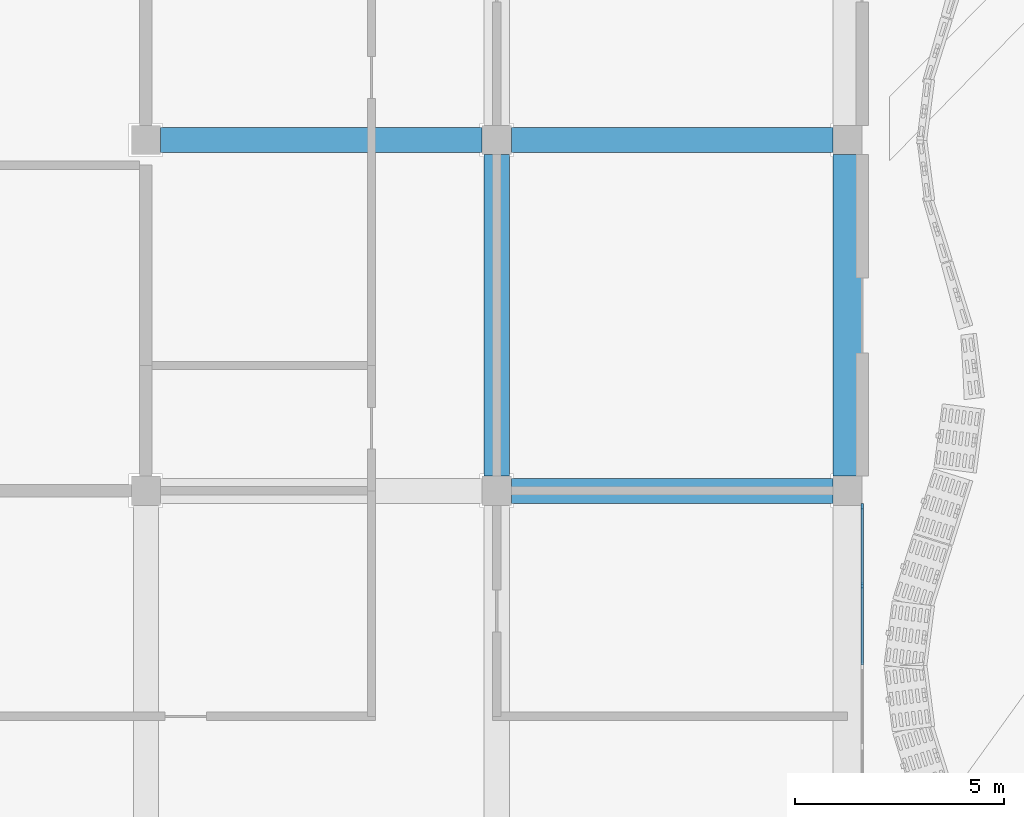
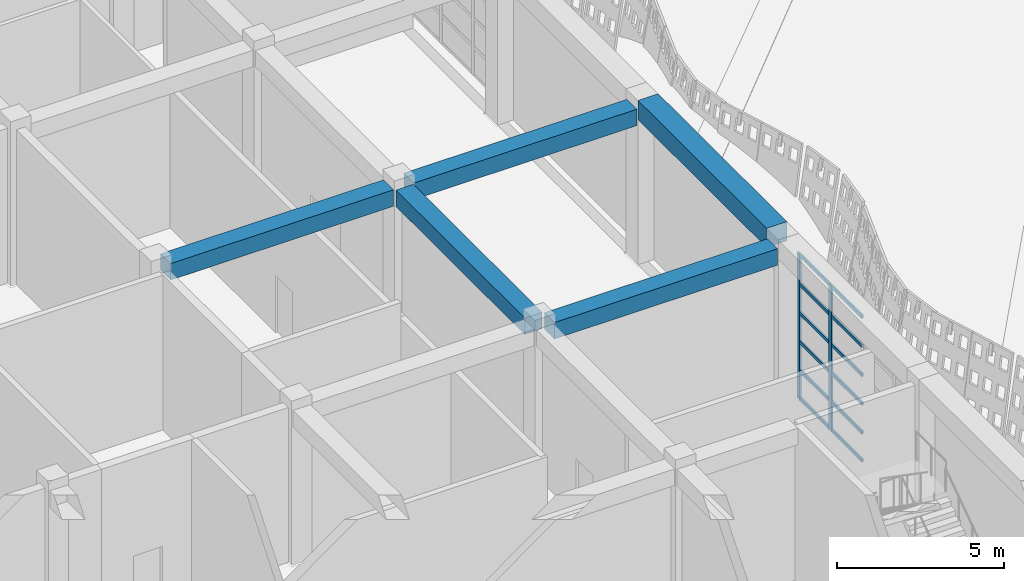
# One storey, part 24 of 210: 14 members, 5 beams, 1 element without a shape of its own.
"""IFC4 building model written with IfcOpenShell, lengths in metres."""

from ifc_helpers import new_model, si_unit, direction, frame, origin, origin_2d, place, context, subcontext, project, spatial, rectangle, extrude, material, material_profile, profile_set, type_object, element, aggregate, save


model = new_model("IFC4")

# Units and contexts
model_context = context("Model", 3, precision=1e-05, world=origin(), true_north=direction((0.0, 1.0)))
body_context = subcontext(model_context, "Body", "Model", "MODEL_VIEW")
ifc_project = project(units=[si_unit("LENGTHUNIT", "METRE"), si_unit("AREAUNIT", "SQUARE_METRE"), si_unit("VOLUMEUNIT", "CUBIC_METRE"), si_unit("PLANEANGLEUNIT", "RADIAN"), si_unit("MASSUNIT", "GRAM", prefix="KILO")], contexts=[model_context])

# Site, building, storey
site_placement = place(None, origin())
site = spatial("IfcSite", under=ifc_project, at=site_placement, CompositionType="ELEMENT")
building_placement = place(site_placement, origin())
building = spatial("IfcBuilding", under=site, at=building_placement, Name="Rain Tree Exposition and Congress Centre", CompositionType="ELEMENT")
storey_placement = place(building_placement, origin())
storey = spatial("IfcBuildingStorey", under=building, at=storey_placement, Name="L00", CompositionType="ELEMENT", Elevation=0.0)

# Beams
ifc_material_1 = material(Name="Precast concrete C50/60", Category="concrete")
ifc_material_profile_1 = material_profile(ifc_material_1, rectangle(XDim=0.60009765625, YDim=0.60009765625, at=origin_2d()), Name="RC 600x600")
ifc_profile_set_1 = profile_set([ifc_material_profile_1], Name="Precast concrete C50/60")
beam_type_1 = type_object("IfcBeamType", Name="Precast beam 600x600", PredefinedType="BEAM", material=ifc_profile_set_1)
for number, where, z_axis, x_axis, name in (
    (1, (42.35009765625, 16.800048828125, 5.35009765625), (1.0, 0.0, 0.0), (0.0, 1.0, 0.0), "wing/beam/L00/L01/031"),
    (2, (33.949951171875, 25.199951171875, 5.35009765625), (1.0, 0.0, 0.0), (0.0, 1.0, 0.0), "wing/beam/L00/L01/037"),
    (3, (42.35009765625, 25.199951171875, 5.35009765625), (1.0, 0.0, 0.0), (0.0, 1.0, 0.0), "wing/beam/L00/L01/039"),
):
    element("IfcBeam", number, at=place(storey_placement, frame(where, z_axis=z_axis, x_axis=x_axis)), inside=storey, type_object=beam_type_1, Name=name, PredefinedType="BEAM", context=body_context, shape_type="SweptSolid", body=[
        extrude(rectangle(XDim=0.60009765625, YDim=0.60009765625, at=origin_2d()), origin(), (0.0, 0.0, 1.0), 7.699951171875),
    ])
beam_1_placement = place(storey_placement, frame((42.0, 17.14990234375, 5.35009765625), z_axis=(0.0, 1.0, 0.0), x_axis=(-1.0, 0.0, 0.0)))
element("IfcBeam", 4, at=beam_1_placement, inside=storey, type_object=beam_type_1, Name="wing/beam/L00/L01/054", PredefinedType="BEAM", context=body_context, shape_type="SweptSolid", body=[
    extrude(rectangle(XDim=0.60009765625, YDim=0.60009765625, at=origin_2d()), origin(), (0.0, 0.0, 1.0), 7.7001953125),
])
ifc_material_2 = material(Name="Precast concrete C50/60", Category="concrete")
ifc_material_profile_2 = material_profile(ifc_material_2, rectangle(XDim=0.699951171875, YDim=0.699951171875, at=origin_2d()), Name="RC 700x700")
ifc_profile_set_2 = profile_set([ifc_material_profile_2], Name="Precast concrete C50/60")
beam_type_2 = type_object("IfcBeamType", Name="Precast spandrel beam 700x700", PredefinedType="SPANDREL", material=ifc_profile_set_2)
beam_2_placement = place(storey_placement, frame((50.39990234375, 17.14990234375, 5.64990234375), z_axis=(0.0, 1.0, 0.0), x_axis=(-1.0, 0.0, 0.0)))
element("IfcBeam", 5, at=beam_2_placement, inside=storey, type_object=beam_type_2, Name="wing/beam/L00/L01/066", PredefinedType="SPANDREL", context=body_context, shape_type="SweptSolid", body=[
    extrude(rectangle(XDim=0.699951171875, YDim=0.699951171875, at=origin_2d()), origin(), (0.0, 0.0, 1.0), 7.7001953125),
])

# Curtain wall, members
ifc_material_3 = material(Name="Aluminium curtain wall", Category="aluminium")
curtain_wall_type = type_object("IfcCurtainWallType", Name="Wing curtain wall 1925", PredefinedType="NOTDEFINED", material=ifc_material_3)
curtain_wall_placement = place(storey_placement, origin())
curtain_wall = element("IfcCurtainWall", 6, at=curtain_wall_placement, inside=storey, type_object=curtain_wall_type, Name="Curtain wall CWW109", PredefinedType="NOTDEFINED")
ifc_material_4 = material(Name="Aluminium", Category="aluminium")
ifc_material_profile_3 = material_profile(ifc_material_4, rectangle(XDim=0.06005859375, YDim=0.159912109375, at=origin_2d()), Name="Aluminium 60x160")
ifc_profile_set_3 = profile_set([ifc_material_profile_3], Name="Aluminium")
member_type_1 = type_object("IfcMemberType", Name="Wing mullion 60x160", PredefinedType="MULLION", material=ifc_profile_set_3)
member_1_placement = place(storey_placement, frame((50.75, 14.52490234375, 0.0), z_axis=(0.0, 0.0, 1.0), x_axis=(-1.0, 0.0, 0.0)))
member_1 = element("IfcMember", 7, at=member_1_placement, type_object=member_type_1, Name="CWW109 mullion 4", PredefinedType="MULLION", context=body_context, shape_type="SweptSolid", body=[
    extrude(rectangle(XDim=0.06005859375, YDim=0.159912109375, at=origin_2d()), origin(), (0.0, 0.0, 1.0), 5.300048828125),
])
member_2_placement = place(storey_placement, frame((50.75, 16.419921875, 0.0), z_axis=(0.0, 0.0, 1.0), x_axis=(-1.0, 0.0, 0.0)))
member_2 = element("IfcMember", 8, at=member_2_placement, type_object=member_type_1, Name="CWW109 mullion 5", PredefinedType="MULLION", context=body_context, shape_type="SweptSolid", body=[
    extrude(rectangle(XDim=0.06005859375, YDim=0.159912109375, at=origin_2d()), origin(), (0.0, 0.0, 1.0), 5.300048828125),
])
ifc_material_5 = material(Name="Aluminium", Category="aluminium")
ifc_material_profile_4 = material_profile(ifc_material_5, rectangle(XDim=0.06005859375, YDim=0.1201171875, at=origin_2d()), Name="Aluminium 60x120")
ifc_profile_set_4 = profile_set([ifc_material_profile_4], Name="Aluminium")
member_type_2 = type_object("IfcMemberType", Name="Wing transom 60x120", PredefinedType="USERDEFINED", material=ifc_profile_set_4)
member_3_placement = place(storey_placement, frame((50.75, 12.6298828125, 0.030029296875), z_axis=(0.0, 1.0, 0.0), x_axis=(-1.0, 0.0, 0.0)))
member_3 = element("IfcMember", 9, at=member_3_placement, type_object=member_type_2, Name="CWW109 transom 3.1", ObjectType="TRANSOM", PredefinedType="USERDEFINED", context=body_context, shape_type="SweptSolid", body=[
    extrude(rectangle(XDim=0.06005859375, YDim=0.1201171875, at=origin_2d()), origin(), (0.0, 0.0, 1.0), 1.865234375),
])
member_4_placement = place(storey_placement, frame((50.75, 12.6298828125, 1.050048828125), z_axis=(0.0, 1.0, 0.0), x_axis=(-1.0, 0.0, 0.0)))
member_4 = element("IfcMember", 10, at=member_4_placement, type_object=member_type_2, Name="CWW109 transom 3.2", ObjectType="TRANSOM", PredefinedType="USERDEFINED", context=body_context, shape_type="SweptSolid", body=[
    extrude(rectangle(XDim=0.06005859375, YDim=0.1201171875, at=origin_2d()), origin(), (0.0, 0.0, 1.0), 1.865234375),
])
member_5_placement = place(storey_placement, frame((50.75, 12.6298828125, 2.10009765625), z_axis=(0.0, 1.0, 0.0), x_axis=(-1.0, 0.0, 0.0)))
member_5 = element("IfcMember", 11, at=member_5_placement, type_object=member_type_2, Name="CWW109 transom 3.3", ObjectType="TRANSOM", PredefinedType="USERDEFINED", context=body_context, shape_type="SweptSolid", body=[
    extrude(rectangle(XDim=0.06005859375, YDim=0.1201171875, at=origin_2d()), origin(), (0.0, 0.0, 1.0), 1.865234375),
])
member_6_placement = place(storey_placement, frame((50.75, 12.6298828125, 3.14990234375), z_axis=(0.0, 1.0, 0.0), x_axis=(-1.0, 0.0, 0.0)))
member_6 = element("IfcMember", 12, at=member_6_placement, type_object=member_type_2, Name="CWW109 transom 3.4", ObjectType="TRANSOM", PredefinedType="USERDEFINED", context=body_context, shape_type="SweptSolid", body=[
    extrude(rectangle(XDim=0.06005859375, YDim=0.1201171875, at=origin_2d()), origin(), (0.0, 0.0, 1.0), 1.865234375),
])
member_7_placement = place(storey_placement, frame((50.75, 12.6298828125, 4.199951171875), z_axis=(0.0, 1.0, 0.0), x_axis=(-1.0, 0.0, 0.0)))
member_7 = element("IfcMember", 13, at=member_7_placement, type_object=member_type_2, Name="CWW109 transom 3.5", ObjectType="TRANSOM", PredefinedType="USERDEFINED", context=body_context, shape_type="SweptSolid", body=[
    extrude(rectangle(XDim=0.06005859375, YDim=0.1201171875, at=origin_2d()), origin(), (0.0, 0.0, 1.0), 1.865234375),
])
member_8_placement = place(storey_placement, frame((50.75, 12.6298828125, 5.27001953125), z_axis=(0.0, 1.0, 0.0), x_axis=(-1.0, 0.0, 0.0)))
member_8 = element("IfcMember", 14, at=member_8_placement, type_object=member_type_2, Name="CWW109 transom 3.6", ObjectType="TRANSOM", PredefinedType="USERDEFINED", context=body_context, shape_type="SweptSolid", body=[
    extrude(rectangle(XDim=0.06005859375, YDim=0.1201171875, at=origin_2d()), origin(), (0.0, 0.0, 1.0), 1.865234375),
])
member_9_placement = place(storey_placement, frame((50.75, 14.554931640625, 0.030029296875), z_axis=(0.0, 1.0, 0.0), x_axis=(-1.0, 0.0, 0.0)))
member_9 = element("IfcMember", 15, at=member_9_placement, type_object=member_type_2, Name="CWW109 transom 4.1", ObjectType="TRANSOM", PredefinedType="USERDEFINED", context=body_context, shape_type="SweptSolid", body=[
    extrude(rectangle(XDim=0.06005859375, YDim=0.1201171875, at=origin_2d()), origin(), (0.0, 0.0, 1.0), 1.8349609375),
])
member_10_placement = place(storey_placement, frame((50.75, 14.554931640625, 1.050048828125), z_axis=(0.0, 1.0, 0.0), x_axis=(-1.0, 0.0, 0.0)))
member_10 = element("IfcMember", 16, at=member_10_placement, type_object=member_type_2, Name="CWW109 transom 4.2", ObjectType="TRANSOM", PredefinedType="USERDEFINED", context=body_context, shape_type="SweptSolid", body=[
    extrude(rectangle(XDim=0.06005859375, YDim=0.1201171875, at=origin_2d()), origin(), (0.0, 0.0, 1.0), 1.8349609375),
])
member_11_placement = place(storey_placement, frame((50.75, 14.554931640625, 2.10009765625), z_axis=(0.0, 1.0, 0.0), x_axis=(-1.0, 0.0, 0.0)))
member_11 = element("IfcMember", 17, at=member_11_placement, type_object=member_type_2, Name="CWW109 transom 4.3", ObjectType="TRANSOM", PredefinedType="USERDEFINED", context=body_context, shape_type="SweptSolid", body=[
    extrude(rectangle(XDim=0.06005859375, YDim=0.1201171875, at=origin_2d()), origin(), (0.0, 0.0, 1.0), 1.8349609375),
])
member_12_placement = place(storey_placement, frame((50.75, 14.554931640625, 3.14990234375), z_axis=(0.0, 1.0, 0.0), x_axis=(-1.0, 0.0, 0.0)))
member_12 = element("IfcMember", 18, at=member_12_placement, type_object=member_type_2, Name="CWW109 transom 4.4", ObjectType="TRANSOM", PredefinedType="USERDEFINED", context=body_context, shape_type="SweptSolid", body=[
    extrude(rectangle(XDim=0.06005859375, YDim=0.1201171875, at=origin_2d()), origin(), (0.0, 0.0, 1.0), 1.8349609375),
])
member_13_placement = place(storey_placement, frame((50.75, 14.554931640625, 4.199951171875), z_axis=(0.0, 1.0, 0.0), x_axis=(-1.0, 0.0, 0.0)))
member_13 = element("IfcMember", 19, at=member_13_placement, type_object=member_type_2, Name="CWW109 transom 4.5", ObjectType="TRANSOM", PredefinedType="USERDEFINED", context=body_context, shape_type="SweptSolid", body=[
    extrude(rectangle(XDim=0.06005859375, YDim=0.1201171875, at=origin_2d()), origin(), (0.0, 0.0, 1.0), 1.8349609375),
])
member_14_placement = place(storey_placement, frame((50.75, 14.554931640625, 5.27001953125), z_axis=(0.0, 1.0, 0.0), x_axis=(-1.0, 0.0, 0.0)))
member_14 = element("IfcMember", 20, at=member_14_placement, type_object=member_type_2, Name="CWW109 transom 4.6", ObjectType="TRANSOM", PredefinedType="USERDEFINED", context=body_context, shape_type="SweptSolid", body=[
    extrude(rectangle(XDim=0.06005859375, YDim=0.1201171875, at=origin_2d()), origin(), (0.0, 0.0, 1.0), 1.8349609375),
])
aggregate(curtain_wall, [member_1, member_2, member_3, member_4, member_5, member_6, member_7, member_8, member_9, member_10, member_11, member_12, member_13, member_14])

save(model, "model.ifc")
